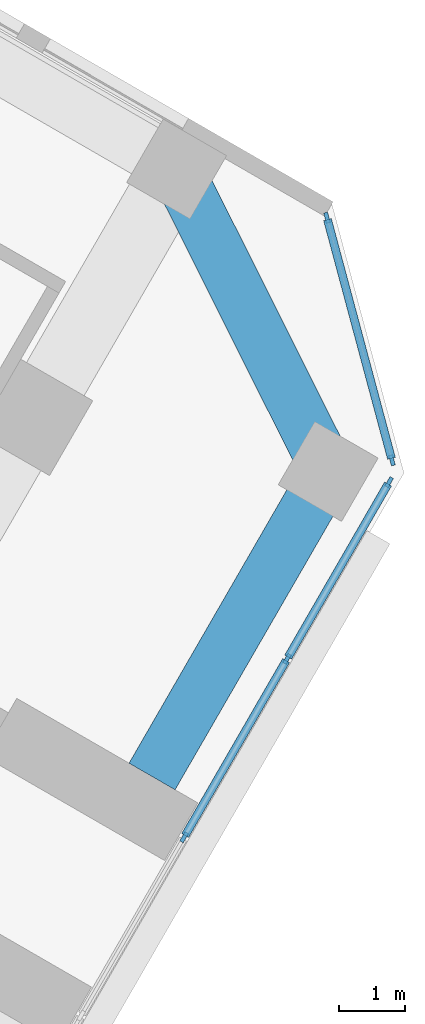
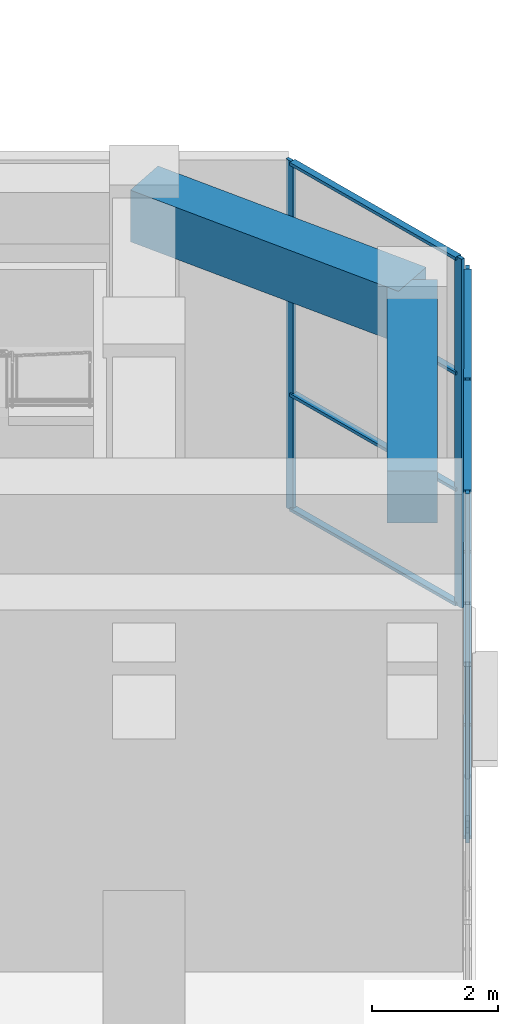
# One storey, part 8 of 17: 15 members, 2 beams, 2 elements without a shape of their own.
"""IFC4 building model written with IfcOpenShell, lengths in metres."""

import ifcopenshell
import ifcopenshell.guid

model = None  # the IFC model being written
_history = None  # IfcOwnerHistory: only IFC2X3 demands one
_inside = {}  # id of a spatial element -> (the spatial element, [elements in it])
_under = {}  # id of a project, library or spatial element -> (it, [spatial elements below it])
_declared = {}  # id of a project -> (the project, [libraries it declares])
_typed = {}  # id of a type object -> (the type object, [elements of that type])
_made_of = {}  # id of a material, layer set ... -> (it, [elements and type objects made of it])


def new_model(schema):
    """Start an empty IFC model of exactly this schema.

    Asked for "IFC4X3", IfcOpenShell would pick the latest addendum, in which some entities
    have other attributes; the version numbers below select the first issue.
    IFC2X3 requires an IfcOwnerHistory on every rooted entity: one is made here for all.
    """
    global model, _history
    if schema == "IFC4X3":
        model = ifcopenshell.file(schema_version=(4, 3, 0, 0))
    else:
        model = ifcopenshell.file(schema=schema)
    _inside.clear()
    _under.clear()
    _declared.clear()
    _typed.clear()
    _made_of.clear()
    _history = None
    if model.schema == "IFC2X3":
        org = make("IfcOrganization", Name="unknown")
        user = make(
            "IfcPersonAndOrganization",
            ThePerson=make("IfcPerson", FamilyName="unknown"),
            TheOrganization=org,
        )
        app = make(
            "IfcApplication",
            ApplicationDeveloper=org,
            Version="unknown",
            ApplicationFullName="unknown",
            ApplicationIdentifier="unknown",
        )
        _history = make(
            "IfcOwnerHistory",
            OwningUser=user,
            OwningApplication=app,
            ChangeAction="ADDED",
            CreationDate=0,
        )
    return model


def make(cls, **values):
    """One entity of the class cls with the attributes given. An attribute that is None is left unset."""
    return model.create_entity(
        cls, **{name: value for name, value in values.items() if value is not None}
    )


def rooted(cls, **values):
    """An entity with a GlobalId (a new one), such as an element, a storey or a relation."""
    return make(cls, GlobalId=ifcopenshell.guid.new(), OwnerHistory=_history, **values)


def si_unit(unit_type, name, prefix=None):
    """IfcSIUnit, for example si_unit("LENGTHUNIT", "METRE", prefix="MILLI")."""
    return make("IfcSIUnit", UnitType=unit_type, Prefix=prefix, Name=name)


def assignment(units):
    """IfcUnitAssignment: the units of a project."""
    return None if units is None else make("IfcUnitAssignment", Units=units)


def point(xyz):
    """IfcCartesianPoint."""
    return None if xyz is None else make("IfcCartesianPoint", Coordinates=xyz)


def direction(xyz):
    """IfcDirection."""
    return None if xyz is None else make("IfcDirection", DirectionRatios=xyz)


def frame(location, z_axis=None, x_axis=None):
    """IfcAxis2Placement3D, a coordinate frame: its origin and axes. An axis left out is left unset."""
    return make(
        "IfcAxis2Placement3D",
        Location=point(location),
        Axis=direction(z_axis),
        RefDirection=direction(x_axis),
    )


def frame_2d(location, x_axis=None):
    """IfcAxis2Placement2D, a coordinate frame in the plane: its origin and x axis."""
    return make(
        "IfcAxis2Placement2D", Location=point(location), RefDirection=direction(x_axis)
    )


def origin():
    """The frame at (0, 0, 0) with its axes left unset."""
    return frame((0.0, 0.0, 0.0))


def origin_2d():
    """The frame at (0, 0) in the plane with its x axis left unset."""
    return frame_2d((0.0, 0.0))


def place(relative_to, where):
    """IfcLocalPlacement: puts the frame where relative to a parent placement (None: the world)."""
    return make(
        "IfcLocalPlacement", PlacementRelTo=relative_to, RelativePlacement=where
    )


def context(
    kind, dimensions, precision=None, world=None, true_north=None, identifier=None
):
    """IfcGeometricRepresentationContext, for example the 3D "Model" context."""
    return make(
        "IfcGeometricRepresentationContext",
        ContextIdentifier=identifier,
        ContextType=kind,
        CoordinateSpaceDimension=dimensions,
        Precision=precision,
        WorldCoordinateSystem=world,
        TrueNorth=true_north,
    )


def subcontext(parent, identifier, kind, view, scale=None):
    """IfcGeometricRepresentationSubContext, for example "Body" below "Model"."""
    return make(
        "IfcGeometricRepresentationSubContext",
        ContextIdentifier=identifier,
        ContextType=kind,
        ParentContext=parent,
        TargetScale=scale,
        TargetView=view,
    )


def project(units=None, contexts=None):
    """IfcProject with its units and contexts."""
    return rooted(
        "IfcProject",
        Name="project",
        RepresentationContexts=contexts,
        UnitsInContext=assignment(units),
    )


def spatial(cls, under=None, at=None, **own):
    """A site, building, storey or space (cls), placed at a placement, below another one or the project."""
    s = rooted(cls, ObjectPlacement=at, **own)
    if under is not None:
        _under.setdefault(under.id(), (under, []))[1].append(s)
    return s


def profile(cls, at=None, kind="AREA", **sizes):
    """A parametric profile (cls). Its sizes go by their IFC names, for example OverallWidth=200.0."""
    return make(cls, ProfileType=kind, Position=at, **sizes)


def rectangle(**sizes):
    """IfcRectangleProfileDef."""
    return profile("IfcRectangleProfileDef", **sizes)


def extrude(swept, where, along, depth):
    """IfcExtrudedAreaSolid: the profile swept, set in the frame where, extruded along a direction by depth."""
    return make(
        "IfcExtrudedAreaSolid",
        SweptArea=swept,
        Position=where,
        ExtrudedDirection=direction(along),
        Depth=depth,
    )


def shape(context_of_items, identifier, shape_type, items):
    """IfcShapeRepresentation: the items that make up one representation, for example the "Body"."""
    return make(
        "IfcShapeRepresentation",
        ContextOfItems=context_of_items,
        RepresentationIdentifier=identifier,
        RepresentationType=shape_type,
        Items=items,
    )


def material(Name=None, Category=None):
    """IfcMaterial."""
    return make("IfcMaterial", Name=Name, Category=Category)


def material_profile(
    of_material, cross_section, Name=None, Category=None, Priority=None
):
    """IfcMaterialProfile: a cross section and its material."""
    return make(
        "IfcMaterialProfile",
        Name=Name,
        Material=of_material,
        Profile=cross_section,
        Priority=Priority,
        Category=Category,
    )


def profile_set(profiles, Name=None, composite=None):
    """IfcMaterialProfileSet."""
    return make(
        "IfcMaterialProfileSet",
        Name=Name,
        MaterialProfiles=profiles,
        CompositeProfile=composite,
    )


def made_of(thing, what):
    """Note that an element or type object is made of a material, layer set ...; save() writes the relation."""
    if what is not None:
        _made_of.setdefault(what.id(), (what, []))[1].append(thing)
    return thing


def type_object(cls, material=None, **own):
    """A type object (cls), such as IfcWallType, which elements share."""
    return made_of(rooted(cls, **own), material)


def element(
    cls,
    number,
    at=None,
    inside=None,
    cuts=None,
    type_object=None,
    material=None,
    context=None,
    identifier="Body",
    shape_type=None,
    held_by="IfcProductDefinitionShape",
    body=None,
    shapes=None,
    **own,
):
    """One element of the class cls, such as IfcWall. Its Tag is "e" and its number.

    at: its placement. inside: the storey or other place that contains it. cuts: it is an
    opening in that element (IfcRelVoidsElement). A single representation is given by context,
    identifier, shape_type and body (its items); several are given by shapes. held_by: the class
    of the entity that holds the representations. save() writes the other relations.
    """
    e = rooted(cls, Tag="e%d" % number, ObjectPlacement=at, **own)
    if body is not None:
        shapes = [shape(context, identifier, shape_type, body)]
    if shapes is not None:
        e.Representation = make(held_by, Representations=shapes)
    if inside is not None:
        _inside.setdefault(inside.id(), (inside, []))[1].append(e)
    if cuts is not None:
        rooted(
            "IfcRelVoidsElement", RelatingBuildingElement=cuts, RelatedOpeningElement=e
        )
    if type_object is not None:
        _typed.setdefault(type_object.id(), (type_object, []))[1].append(e)
    return made_of(e, material)


def aggregate(whole, parts):
    """IfcRelAggregates: a whole, such as a stair, and the parts it consists of."""
    return rooted("IfcRelAggregates", RelatingObject=whole, RelatedObjects=parts)


def save(model, path):
    """Write the relations noted so far, then the file.

    IfcRelAggregates (storeys below a building ...), IfcRelContainedInSpatialStructure (elements
    in a storey), IfcRelDefinesByType, IfcRelAssociatesMaterial and IfcRelDeclares: one each for
    every whole, place, type object, material and project.
    """
    for whole, parts in _under.values():
        aggregate(whole, parts)
    for where, things in _inside.values():
        rooted(
            "IfcRelContainedInSpatialStructure",
            RelatedElements=things,
            RelatingStructure=where,
        )
    for kind, things in _typed.values():
        rooted("IfcRelDefinesByType", RelatedObjects=things, RelatingType=kind)
    for what, things in _made_of.values():
        rooted("IfcRelAssociatesMaterial", RelatedObjects=things, RelatingMaterial=what)
    for by, libraries in _declared.values():
        rooted("IfcRelDeclares", RelatingContext=by, RelatedDefinitions=libraries)
    model.write(path)


model = new_model("IFC4")

# Units and contexts
model_context = context("Model", 3, precision=1e-05, world=origin(), true_north=direction((0.0, 1.0)))
body_context = subcontext(model_context, "Body", "Model", "MODEL_VIEW")
ifc_project = project(units=[si_unit("LENGTHUNIT", "METRE"), si_unit("AREAUNIT", "SQUARE_METRE"), si_unit("VOLUMEUNIT", "CUBIC_METRE"), si_unit("PLANEANGLEUNIT", "RADIAN"), si_unit("MASSUNIT", "GRAM", prefix="KILO")], contexts=[model_context])

# Site, building, storey
site_placement = place(None, origin())
site = spatial("IfcSite", under=ifc_project, at=site_placement, CompositionType="ELEMENT")
building_placement = place(site_placement, origin())
building = spatial("IfcBuilding", under=site, at=building_placement, Name="Kosmar Iwan School Tower", CompositionType="ELEMENT")
storey_placement = place(building_placement, frame((0.0, 0.0, 32.39990234375)))
storey = spatial("IfcBuildingStorey", under=building, at=storey_placement, Name="L07", CompositionType="ELEMENT", Elevation=32.39990234375)

# Curtain wall, members
ifc_material_1 = material(Name="Black aluminium louvres and glass", Category="aluminium")
curtain_wall_type_1 = type_object("IfcCurtainWallType", Name="Plant floor louvred curtain wall", PredefinedType="USERDEFINED", material=ifc_material_1)
curtain_wall_1_placement = place(storey_placement, origin())
curtain_wall_1 = element("IfcCurtainWall", 1, at=curtain_wall_1_placement, inside=storey, type_object=curtain_wall_type_1, Name="Curtain wall L07-F03", ObjectType="LOUVRED CURTAIN WALL", PredefinedType="USERDEFINED")
ifc_material_2 = material(Name="Black anodised aluminium", Category="aluminium")
ifc_material_profile_1 = material_profile(ifc_material_2, rectangle(XDim=0.06005859375, YDim=0.159912109375, at=origin_2d()), Name="MULLION 60x160")
ifc_profile_set_1 = profile_set([ifc_material_profile_1], Name="Black anodised aluminium")
member_type_1 = type_object("IfcMemberType", Name="Mullion 60x160", PredefinedType="MULLION", material=ifc_profile_set_1)
member_1_placement = place(storey_placement, frame((30.631103515625, -15.8955078125, 0.0), z_axis=(0.0, 0.0, 1.0), x_axis=(-0.866025405329, 0.499999997325, 0.0)))
member_1 = element("IfcMember", 2, at=member_1_placement, type_object=member_type_1, Name="CW4 mullion 4", PredefinedType="MULLION", context=body_context, shape_type="SweptSolid", body=[
    extrude(rectangle(XDim=0.06005859375, YDim=0.159912109375, at=origin_2d()), origin(), (0.0, 0.0, 1.0), 6.75),
])
member_2_placement = place(storey_placement, frame((32.1806640625, -13.21142578125, 0.0), z_axis=(0.0, 0.0, 1.0), x_axis=(-0.866025405329, 0.499999997325, 0.0)))
member_2 = element("IfcMember", 3, at=member_2_placement, type_object=member_type_1, Name="CW4 mullion 5", PredefinedType="MULLION", context=body_context, shape_type="SweptSolid", body=[
    extrude(rectangle(XDim=0.06005859375, YDim=0.159912109375, at=origin_2d()), origin(), (0.0, 0.0, 1.0), 6.75),
])
member_3_placement = place(storey_placement, frame((33.71533203125, -10.55322265625, 0.0), z_axis=(0.0, 0.0, 1.0), x_axis=(-0.866025405329, 0.499999997325, 0.0)))
member_3 = element("IfcMember", 4, at=member_3_placement, type_object=member_type_1, Name="CW4 mullion 6", PredefinedType="MULLION", context=body_context, shape_type="SweptSolid", body=[
    extrude(rectangle(XDim=0.06005859375, YDim=0.159912109375, at=origin_2d()), origin(), (0.0, 0.0, 1.0), 6.75),
])

ifc_material_3 = material(Name="Dark glass in black aluminium frame", Category="aluminium")
curtain_wall_type_2 = type_object("IfcCurtainWallType", Name="Chamfer curtain wall dark glass", PredefinedType="USERDEFINED", material=ifc_material_3)
curtain_wall_2_placement = place(storey_placement, origin())
curtain_wall_2 = element("IfcCurtainWall", 5, at=curtain_wall_2_placement, inside=storey, type_object=curtain_wall_type_2, Name="Curtain wall L07-F04", ObjectType="FACETED CURTAIN WALL", PredefinedType="USERDEFINED")
member_4_placement = place(storey_placement, frame((33.7587890625, -10.2236328125, 0.0), z_axis=(0.0, 0.0, 1.0), x_axis=(-0.965925875495, -0.258818861462, 0.0)))
member_4 = element("IfcMember", 6, at=member_4_placement, type_object=member_type_1, Name="CW2 mullion 1", PredefinedType="MULLION", context=body_context, shape_type="SweptSolid", body=[
    extrude(rectangle(XDim=0.06005859375, YDim=0.159912109375, at=origin_2d()), origin(), (0.0, 0.0, 1.0), 6.75),
])
member_5_placement = place(storey_placement, frame((32.78076171875, -6.5732421875, 0.0), z_axis=(0.0, 0.0, 1.0), x_axis=(-0.965925875495, -0.258818861462, 0.0)))
member_5 = element("IfcMember", 7, at=member_5_placement, type_object=member_type_1, Name="CW2 mullion 2", PredefinedType="MULLION", context=body_context, shape_type="SweptSolid", body=[
    extrude(rectangle(XDim=0.06005859375, YDim=0.159912109375, at=origin_2d()), origin(), (0.0, 0.0, 1.0), 6.75),
])

# Beams
ifc_material_4 = material(Name="Concrete C50/60", Category="concrete")
ifc_material_profile_2 = material_profile(ifc_material_4, rectangle(XDim=0.800048828125, YDim=1.0, at=origin_2d()), Name="RC 800x1000")
ifc_profile_set_2 = profile_set([ifc_material_profile_2], Name="Concrete C50/60")
beam_type = type_object("IfcBeamType", Name="RC tip beam 800x1000", PredefinedType="BEAM", material=ifc_profile_set_2)
beam_1_placement = place(storey_placement, frame((30.517822265625, -5.841552734375, 6.25), z_axis=(0.44809604203, -0.893985423325, 0.0), x_axis=(0.893985423325, 0.44809604203, 0.0)))
element("IfcBeam", 8, at=beam_1_placement, inside=storey, type_object=beam_type, Name="Tip beam CL", PredefinedType="BEAM", context=body_context, shape_type="SweptSolid", body=[
    extrude(rectangle(XDim=0.800048828125, YDim=1.0, at=origin_2d()), origin(), (0.0, 0.0, 1.0), 5.08935546875),
])
beam_2_placement = place(storey_placement, frame((32.79833984375, -10.391357421875, 6.25), z_axis=(-0.499973660256, -0.866040610509, 0.0), x_axis=(0.866040610509, -0.499973660256, 0.0)))
element("IfcBeam", 9, at=beam_2_placement, inside=storey, type_object=beam_type, Name="Tip beam CL to corridor wall", PredefinedType="BEAM", context=body_context, shape_type="SweptSolid", body=[
    extrude(rectangle(XDim=0.800048828125, YDim=1.0, at=origin_2d()), origin(), (0.0, 0.0, 1.0), 5.300048828125),
])

# Member
ifc_material_5 = material(Name="Black anodised aluminium", Category="aluminium")
ifc_material_profile_3 = material_profile(ifc_material_5, rectangle(XDim=0.1201171875, YDim=0.06005859375, at=origin_2d()), Name="TRANSOM 60x120")
ifc_profile_set_3 = profile_set([ifc_material_profile_3], Name="Black anodised aluminium")
member_type_2 = type_object("IfcMemberType", Name="Transom 60x120", PredefinedType="USERDEFINED", material=ifc_profile_set_3)
member_6_placement = place(storey_placement, frame((30.64599609375, -15.869384765625, 0.030029296875), z_axis=(0.500035348339, 0.866004994449, 0.0), x_axis=(-0.866004994449, 0.500035348339, 0.0)))
member_6 = element("IfcMember", 10, at=member_6_placement, type_object=member_type_2, Name="CW4 transom 4.1", ObjectType="TRANSOM", PredefinedType="USERDEFINED", context=body_context, shape_type="SweptSolid", body=[
    extrude(rectangle(XDim=0.1201171875, YDim=0.06005859375, at=origin_2d()), origin(), (0.0, 0.0, 1.0), 3.039306640625),
])

member_7_placement = place(storey_placement, frame((30.64599609375, -15.869384765625, 3.375), z_axis=(0.500035348339, 0.866004994449, 0.0), x_axis=(-0.866004994449, 0.500035348339, 0.0)))
member_7 = element("IfcMember", 11, at=member_7_placement, type_object=member_type_2, Name="CW4 transom 4.2", ObjectType="TRANSOM", PredefinedType="USERDEFINED", context=body_context, shape_type="SweptSolid", body=[
    extrude(rectangle(XDim=0.1201171875, YDim=0.06005859375, at=origin_2d()), origin(), (0.0, 0.0, 1.0), 3.039306640625),
])

member_8_placement = place(storey_placement, frame((30.64599609375, -15.869384765625, 6.72021484375), z_axis=(0.500035348339, 0.866004994449, 0.0), x_axis=(-0.866004994449, 0.500035348339, 0.0)))
member_8 = element("IfcMember", 12, at=member_8_placement, type_object=member_type_2, Name="CW4 transom 4.3", ObjectType="TRANSOM", PredefinedType="USERDEFINED", context=body_context, shape_type="SweptSolid", body=[
    extrude(rectangle(XDim=0.1201171875, YDim=0.06005859375, at=origin_2d()), origin(), (0.0, 0.0, 1.0), 3.039306640625),
])

member_9_placement = place(storey_placement, frame((32.19580078125, -13.185302734375, 0.030029296875), z_axis=(0.500022102064, 0.866012642776, 0.0), x_axis=(-0.866012642776, 0.500022102064, 0.0)))
member_9 = element("IfcMember", 13, at=member_9_placement, type_object=member_type_2, Name="CW4 transom 5.1", ObjectType="TRANSOM", PredefinedType="USERDEFINED", context=body_context, shape_type="SweptSolid", body=[
    extrude(rectangle(XDim=0.1201171875, YDim=0.06005859375, at=origin_2d()), origin(), (0.0, 0.0, 1.0), 3.009033203125),
])

member_10_placement = place(storey_placement, frame((32.19580078125, -13.185302734375, 3.375), z_axis=(0.500022102064, 0.866012642776, 0.0), x_axis=(-0.866012642776, 0.500022102064, 0.0)))
member_10 = element("IfcMember", 14, at=member_10_placement, type_object=member_type_2, Name="CW4 transom 5.2", ObjectType="TRANSOM", PredefinedType="USERDEFINED", context=body_context, shape_type="SweptSolid", body=[
    extrude(rectangle(XDim=0.1201171875, YDim=0.06005859375, at=origin_2d()), origin(), (0.0, 0.0, 1.0), 3.009033203125),
])

member_11_placement = place(storey_placement, frame((32.19580078125, -13.185302734375, 6.72021484375), z_axis=(0.500022102064, 0.866012642776, 0.0), x_axis=(-0.866012642776, 0.500022102064, 0.0)))
member_11 = element("IfcMember", 15, at=member_11_placement, type_object=member_type_2, Name="CW4 transom 5.3", ObjectType="TRANSOM", PredefinedType="USERDEFINED", context=body_context, shape_type="SweptSolid", body=[
    extrude(rectangle(XDim=0.1201171875, YDim=0.06005859375, at=origin_2d()), origin(), (0.0, 0.0, 1.0), 3.009033203125),
])

aggregate(curtain_wall_1, [member_1, member_2, member_3, member_6, member_7, member_8, member_9, member_10, member_11])

member_12_placement = place(storey_placement, frame((33.7509765625, -10.194580078125, 0.030029296875), z_axis=(-0.258843273983, 0.965919333854, 0.0), x_axis=(-0.965919333854, -0.258843273983, 0.0)))
member_12 = element("IfcMember", 16, at=member_12_placement, type_object=member_type_2, Name="CW2 transom 1.1", ObjectType="TRANSOM", PredefinedType="USERDEFINED", context=body_context, shape_type="SweptSolid", body=[
    extrude(rectangle(XDim=0.1201171875, YDim=0.06005859375, at=origin_2d()), origin(), (0.0, 0.0, 1.0), 3.718994140625),
])

member_13_placement = place(storey_placement, frame((33.7509765625, -10.194580078125, 2.25), z_axis=(-0.258843273983, 0.965919333854, 0.0), x_axis=(-0.965919333854, -0.258843273983, 0.0)))
member_13 = element("IfcMember", 17, at=member_13_placement, type_object=member_type_2, Name="CW2 transom 1.2", ObjectType="TRANSOM", PredefinedType="USERDEFINED", context=body_context, shape_type="SweptSolid", body=[
    extrude(rectangle(XDim=0.1201171875, YDim=0.06005859375, at=origin_2d()), origin(), (0.0, 0.0, 1.0), 3.718994140625),
])

member_14_placement = place(storey_placement, frame((33.7509765625, -10.194580078125, 4.5), z_axis=(-0.258843273983, 0.965919333854, 0.0), x_axis=(-0.965919333854, -0.258843273983, 0.0)))
member_14 = element("IfcMember", 18, at=member_14_placement, type_object=member_type_2, Name="CW2 transom 1.3", ObjectType="TRANSOM", PredefinedType="USERDEFINED", context=body_context, shape_type="SweptSolid", body=[
    extrude(rectangle(XDim=0.1201171875, YDim=0.06005859375, at=origin_2d()), origin(), (0.0, 0.0, 1.0), 3.718994140625),
])

member_15_placement = place(storey_placement, frame((33.7509765625, -10.194580078125, 6.72021484375), z_axis=(-0.258843273983, 0.965919333854, 0.0), x_axis=(-0.965919333854, -0.258843273983, 0.0)))
member_15 = element("IfcMember", 19, at=member_15_placement, type_object=member_type_2, Name="CW2 transom 1.4", ObjectType="TRANSOM", PredefinedType="USERDEFINED", context=body_context, shape_type="SweptSolid", body=[
    extrude(rectangle(XDim=0.1201171875, YDim=0.06005859375, at=origin_2d()), origin(), (0.0, 0.0, 1.0), 3.718994140625),
])

aggregate(curtain_wall_2, [member_4, member_5, member_12, member_13, member_14, member_15])

save(model, "model.ifc")
